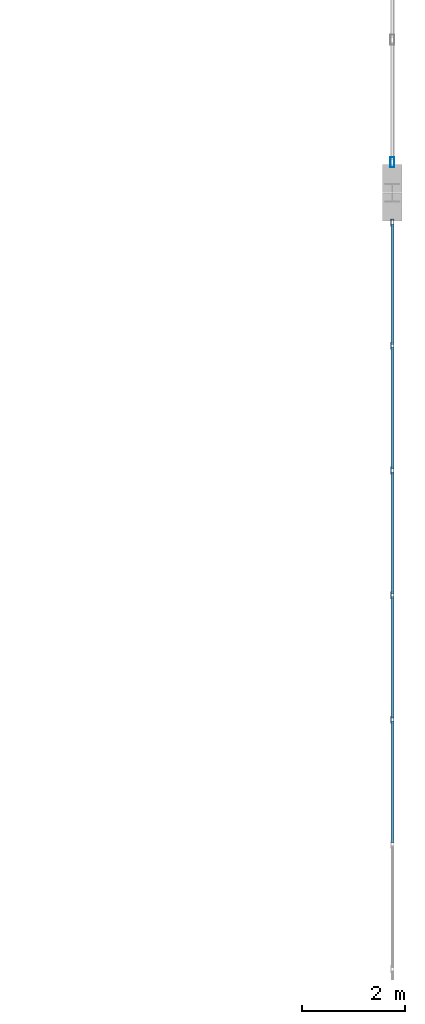
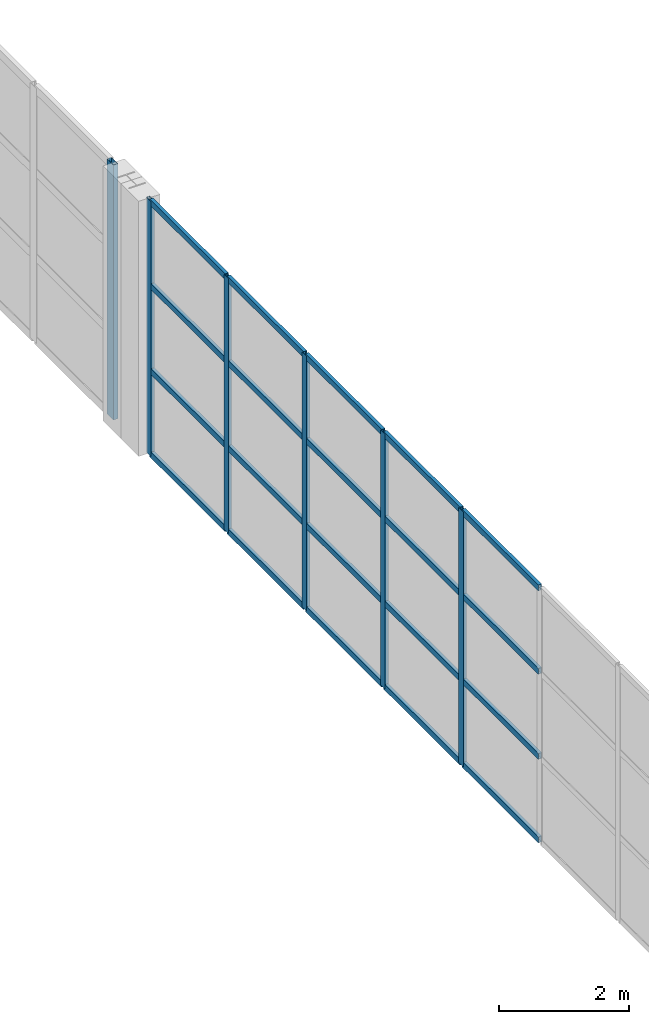
# One storey, part 85 of 147: 26 members, 2 elements without a shape of their own.
"""IFC4 building model written with IfcOpenShell, lengths in metres."""

import ifcopenshell
import ifcopenshell.guid

model = None  # the IFC model being written
_history = None  # IfcOwnerHistory: only IFC2X3 demands one
_inside = {}  # id of a spatial element -> (the spatial element, [elements in it])
_under = {}  # id of a project, library or spatial element -> (it, [spatial elements below it])
_declared = {}  # id of a project -> (the project, [libraries it declares])
_typed = {}  # id of a type object -> (the type object, [elements of that type])
_made_of = {}  # id of a material, layer set ... -> (it, [elements and type objects made of it])


def new_model(schema):
    """Start an empty IFC model of exactly this schema.

    Asked for "IFC4X3", IfcOpenShell would pick the latest addendum, in which some entities
    have other attributes; the version numbers below select the first issue.
    IFC2X3 requires an IfcOwnerHistory on every rooted entity: one is made here for all.
    """
    global model, _history
    if schema == "IFC4X3":
        model = ifcopenshell.file(schema_version=(4, 3, 0, 0))
    else:
        model = ifcopenshell.file(schema=schema)
    _inside.clear()
    _under.clear()
    _declared.clear()
    _typed.clear()
    _made_of.clear()
    _history = None
    if model.schema == "IFC2X3":
        org = make("IfcOrganization", Name="unknown")
        user = make(
            "IfcPersonAndOrganization",
            ThePerson=make("IfcPerson", FamilyName="unknown"),
            TheOrganization=org,
        )
        app = make(
            "IfcApplication",
            ApplicationDeveloper=org,
            Version="unknown",
            ApplicationFullName="unknown",
            ApplicationIdentifier="unknown",
        )
        _history = make(
            "IfcOwnerHistory",
            OwningUser=user,
            OwningApplication=app,
            ChangeAction="ADDED",
            CreationDate=0,
        )
    return model


def make(cls, **values):
    """One entity of the class cls with the attributes given. An attribute that is None is left unset."""
    return model.create_entity(
        cls, **{name: value for name, value in values.items() if value is not None}
    )


def rooted(cls, **values):
    """An entity with a GlobalId (a new one), such as an element, a storey or a relation."""
    return make(cls, GlobalId=ifcopenshell.guid.new(), OwnerHistory=_history, **values)


def si_unit(unit_type, name, prefix=None):
    """IfcSIUnit, for example si_unit("LENGTHUNIT", "METRE", prefix="MILLI")."""
    return make("IfcSIUnit", UnitType=unit_type, Prefix=prefix, Name=name)


def assignment(units):
    """IfcUnitAssignment: the units of a project."""
    return None if units is None else make("IfcUnitAssignment", Units=units)


def point(xyz):
    """IfcCartesianPoint."""
    return None if xyz is None else make("IfcCartesianPoint", Coordinates=xyz)


def direction(xyz):
    """IfcDirection."""
    return None if xyz is None else make("IfcDirection", DirectionRatios=xyz)


def frame(location, z_axis=None, x_axis=None):
    """IfcAxis2Placement3D, a coordinate frame: its origin and axes. An axis left out is left unset."""
    return make(
        "IfcAxis2Placement3D",
        Location=point(location),
        Axis=direction(z_axis),
        RefDirection=direction(x_axis),
    )


def frame_2d(location, x_axis=None):
    """IfcAxis2Placement2D, a coordinate frame in the plane: its origin and x axis."""
    return make(
        "IfcAxis2Placement2D", Location=point(location), RefDirection=direction(x_axis)
    )


def origin():
    """The frame at (0, 0, 0) with its axes left unset."""
    return frame((0.0, 0.0, 0.0))


def origin_2d():
    """The frame at (0, 0) in the plane with its x axis left unset."""
    return frame_2d((0.0, 0.0))


def place(relative_to, where):
    """IfcLocalPlacement: puts the frame where relative to a parent placement (None: the world)."""
    return make(
        "IfcLocalPlacement", PlacementRelTo=relative_to, RelativePlacement=where
    )


def context(
    kind, dimensions, precision=None, world=None, true_north=None, identifier=None
):
    """IfcGeometricRepresentationContext, for example the 3D "Model" context."""
    return make(
        "IfcGeometricRepresentationContext",
        ContextIdentifier=identifier,
        ContextType=kind,
        CoordinateSpaceDimension=dimensions,
        Precision=precision,
        WorldCoordinateSystem=world,
        TrueNorth=true_north,
    )


def subcontext(parent, identifier, kind, view, scale=None):
    """IfcGeometricRepresentationSubContext, for example "Body" below "Model"."""
    return make(
        "IfcGeometricRepresentationSubContext",
        ContextIdentifier=identifier,
        ContextType=kind,
        ParentContext=parent,
        TargetScale=scale,
        TargetView=view,
    )


def project(units=None, contexts=None):
    """IfcProject with its units and contexts."""
    return rooted(
        "IfcProject",
        Name="project",
        RepresentationContexts=contexts,
        UnitsInContext=assignment(units),
    )


def spatial(cls, under=None, at=None, **own):
    """A site, building, storey or space (cls), placed at a placement, below another one or the project."""
    s = rooted(cls, ObjectPlacement=at, **own)
    if under is not None:
        _under.setdefault(under.id(), (under, []))[1].append(s)
    return s


def profile(cls, at=None, kind="AREA", **sizes):
    """A parametric profile (cls). Its sizes go by their IFC names, for example OverallWidth=200.0."""
    return make(cls, ProfileType=kind, Position=at, **sizes)


def hollow_rectangle(**sizes):
    """IfcRectangleHollowProfileDef."""
    return profile("IfcRectangleHollowProfileDef", **sizes)


def extrude(swept, where, along, depth):
    """IfcExtrudedAreaSolid: the profile swept, set in the frame where, extruded along a direction by depth."""
    return make(
        "IfcExtrudedAreaSolid",
        SweptArea=swept,
        Position=where,
        ExtrudedDirection=direction(along),
        Depth=depth,
    )


def shape(context_of_items, identifier, shape_type, items):
    """IfcShapeRepresentation: the items that make up one representation, for example the "Body"."""
    return make(
        "IfcShapeRepresentation",
        ContextOfItems=context_of_items,
        RepresentationIdentifier=identifier,
        RepresentationType=shape_type,
        Items=items,
    )


def material(Name=None, Category=None):
    """IfcMaterial."""
    return make("IfcMaterial", Name=Name, Category=Category)


def layer(
    of_material, thickness, ventilated=None, Name=None, Category=None, Priority=None
):
    """IfcMaterialLayer: one layer of a wall or slab, of a material (None: an air gap)."""
    return make(
        "IfcMaterialLayer",
        Material=of_material,
        LayerThickness=thickness,
        IsVentilated=ventilated,
        Name=Name,
        Category=Category,
        Priority=Priority,
    )


def layer_set(layers, Name=None):
    """IfcMaterialLayerSet."""
    return make("IfcMaterialLayerSet", MaterialLayers=layers, LayerSetName=Name)


def material_profile(
    of_material, cross_section, Name=None, Category=None, Priority=None
):
    """IfcMaterialProfile: a cross section and its material."""
    return make(
        "IfcMaterialProfile",
        Name=Name,
        Material=of_material,
        Profile=cross_section,
        Priority=Priority,
        Category=Category,
    )


def profile_set(profiles, Name=None, composite=None):
    """IfcMaterialProfileSet."""
    return make(
        "IfcMaterialProfileSet",
        Name=Name,
        MaterialProfiles=profiles,
        CompositeProfile=composite,
    )


def made_of(thing, what):
    """Note that an element or type object is made of a material, layer set ...; save() writes the relation."""
    if what is not None:
        _made_of.setdefault(what.id(), (what, []))[1].append(thing)
    return thing


def type_object(cls, material=None, **own):
    """A type object (cls), such as IfcWallType, which elements share."""
    return made_of(rooted(cls, **own), material)


def element(
    cls,
    number,
    at=None,
    inside=None,
    cuts=None,
    type_object=None,
    material=None,
    context=None,
    identifier="Body",
    shape_type=None,
    held_by="IfcProductDefinitionShape",
    body=None,
    shapes=None,
    **own,
):
    """One element of the class cls, such as IfcWall. Its Tag is "e" and its number.

    at: its placement. inside: the storey or other place that contains it. cuts: it is an
    opening in that element (IfcRelVoidsElement). A single representation is given by context,
    identifier, shape_type and body (its items); several are given by shapes. held_by: the class
    of the entity that holds the representations. save() writes the other relations.
    """
    e = rooted(cls, Tag="e%d" % number, ObjectPlacement=at, **own)
    if body is not None:
        shapes = [shape(context, identifier, shape_type, body)]
    if shapes is not None:
        e.Representation = make(held_by, Representations=shapes)
    if inside is not None:
        _inside.setdefault(inside.id(), (inside, []))[1].append(e)
    if cuts is not None:
        rooted(
            "IfcRelVoidsElement", RelatingBuildingElement=cuts, RelatedOpeningElement=e
        )
    if type_object is not None:
        _typed.setdefault(type_object.id(), (type_object, []))[1].append(e)
    return made_of(e, material)


def aggregate(whole, parts):
    """IfcRelAggregates: a whole, such as a stair, and the parts it consists of."""
    return rooted("IfcRelAggregates", RelatingObject=whole, RelatedObjects=parts)


def save(model, path):
    """Write the relations noted so far, then the file.

    IfcRelAggregates (storeys below a building ...), IfcRelContainedInSpatialStructure (elements
    in a storey), IfcRelDefinesByType, IfcRelAssociatesMaterial and IfcRelDeclares: one each for
    every whole, place, type object, material and project.
    """
    for whole, parts in _under.values():
        aggregate(whole, parts)
    for where, things in _inside.values():
        rooted(
            "IfcRelContainedInSpatialStructure",
            RelatedElements=things,
            RelatingStructure=where,
        )
    for kind, things in _typed.values():
        rooted("IfcRelDefinesByType", RelatedObjects=things, RelatingType=kind)
    for what, things in _made_of.values():
        rooted("IfcRelAssociatesMaterial", RelatedObjects=things, RelatingMaterial=what)
    for by, libraries in _declared.values():
        rooted("IfcRelDeclares", RelatingContext=by, RelatedDefinitions=libraries)
    model.write(path)


model = new_model("IFC4")

# Units and contexts
model_context = context("Model", 3, precision=1e-05, world=origin(), true_north=direction((0.0, 1.0)))
body_context = subcontext(model_context, "Body", "Model", "MODEL_VIEW")
ifc_project = project(units=[si_unit("LENGTHUNIT", "METRE"), si_unit("AREAUNIT", "SQUARE_METRE"), si_unit("VOLUMEUNIT", "CUBIC_METRE"), si_unit("PLANEANGLEUNIT", "RADIAN"), si_unit("MASSUNIT", "GRAM", prefix="KILO")], contexts=[model_context])

# Site, building, storey
site_placement = place(None, origin())
site = spatial("IfcSite", under=ifc_project, at=site_placement, CompositionType="ELEMENT")
building_placement = place(site_placement, origin())
building = spatial("IfcBuilding", under=site, at=building_placement, Name="Zilviju Railside Exhibition Hall", CompositionType="ELEMENT")
storey_placement = place(building_placement, frame((0.0, 0.0, 8.39990234375)))
storey = spatial("IfcBuildingStorey", under=building, at=storey_placement, Name="L03", CompositionType="ELEMENT", Elevation=8.39990234375)

# Curtain wall, members
ifc_material_1 = material(Name="Thermally broken aluminium-steel triple-glazed curtain wall", Category="steel")
ifc_layer_1 = layer(ifc_material_1, 0.179931640625)
ifc_layer_set_1 = layer_set([ifc_layer_1], Name="Thermally broken aluminium-steel triple-glazed curtain wall")
curtain_wall_type_1 = type_object("IfcCurtainWallType", Name="CW-BAY-17", PredefinedType="USERDEFINED", material=ifc_layer_set_1)
curtain_wall_1_placement = place(storey_placement, origin())
curtain_wall_1 = element("IfcCurtainWall", 1, at=curtain_wall_1_placement, inside=storey, type_object=curtain_wall_type_1, Name="South Hall East Glazed Gable L03 (18..36)", ObjectType="GLAZED CURTAIN WALL", PredefinedType="USERDEFINED")
ifc_material_2 = material(Name="Thermally broken anodized aluminium mullion", Category="aluminium")
ifc_material_profile_1 = material_profile(ifc_material_2, hollow_rectangle(XDim=0.06005859375, YDim=0.139892578125, WallThickness=0.0048828125, at=origin_2d()), Name="MULLION 140x60x5")
ifc_profile_set_1 = profile_set([ifc_material_profile_1], Name="Thermally broken anodized aluminium mullion")
member_type_1 = type_object("IfcMemberType", Name="CWM-60x140", PredefinedType="MULLION", material=ifc_profile_set_1)
member_1_placement = place(storey_placement, frame((216.0, 35.419921875, 0.0), z_axis=(0.0, 0.0, 1.0), x_axis=(1.0, 0.0, 0.0)))
member_1 = element("IfcMember", 2, at=member_1_placement, type_object=member_type_1, Name="CW-17 mullion 1", PredefinedType="MULLION", context=body_context, shape_type="SweptSolid", body=[
    extrude(hollow_rectangle(XDim=0.06005859375, YDim=0.139892578125, WallThickness=0.0048828125, at=origin_2d()), origin(), (0.0, 0.0, 1.0), 4.800048828125),
])
member_2_placement = place(storey_placement, frame((216.0, 33.03564453125, 0.0), z_axis=(0.0, 0.0, 1.0), x_axis=(1.0, 0.0, 0.0)))
member_2 = element("IfcMember", 3, at=member_2_placement, type_object=member_type_1, Name="CW-17 mullion 2", PredefinedType="MULLION", context=body_context, shape_type="SweptSolid", body=[
    extrude(hollow_rectangle(XDim=0.06005859375, YDim=0.139892578125, WallThickness=0.0048828125, at=origin_2d()), origin(), (0.0, 0.0, 1.0), 4.800048828125),
])
member_3_placement = place(storey_placement, frame((216.0, 30.621337890625, 0.0), z_axis=(0.0, 0.0, 1.0), x_axis=(1.0, 0.0, 0.0)))
member_3 = element("IfcMember", 4, at=member_3_placement, type_object=member_type_1, Name="CW-17 mullion 3", PredefinedType="MULLION", context=body_context, shape_type="SweptSolid", body=[
    extrude(hollow_rectangle(XDim=0.06005859375, YDim=0.139892578125, WallThickness=0.0048828125, at=origin_2d()), origin(), (0.0, 0.0, 1.0), 4.800048828125),
])
member_4_placement = place(storey_placement, frame((216.0, 28.20703125, 0.0), z_axis=(0.0, 0.0, 1.0), x_axis=(1.0, 0.0, 0.0)))
member_4 = element("IfcMember", 5, at=member_4_placement, type_object=member_type_1, Name="CW-17 mullion 4", PredefinedType="MULLION", context=body_context, shape_type="SweptSolid", body=[
    extrude(hollow_rectangle(XDim=0.06005859375, YDim=0.139892578125, WallThickness=0.0048828125, at=origin_2d()), origin(), (0.0, 0.0, 1.0), 4.800048828125),
])
member_5_placement = place(storey_placement, frame((216.0, 25.79296875, 0.0), z_axis=(0.0, 0.0, 1.0), x_axis=(1.0, 0.0, 0.0)))
member_5 = element("IfcMember", 6, at=member_5_placement, type_object=member_type_1, Name="CW-17 mullion 5", PredefinedType="MULLION", context=body_context, shape_type="SweptSolid", body=[
    extrude(hollow_rectangle(XDim=0.06005859375, YDim=0.139892578125, WallThickness=0.0048828125, at=origin_2d()), origin(), (0.0, 0.0, 1.0), 4.800048828125),
])

# Curtain wall, member
ifc_layer_2 = layer(ifc_material_1, 0.179931640625)
ifc_layer_set_2 = layer_set([ifc_layer_2], Name="Thermally broken aluminium-steel triple-glazed curtain wall")
curtain_wall_type_2 = type_object("IfcCurtainWallType", Name="CW-BAY-18", PredefinedType="USERDEFINED", material=ifc_layer_set_2)
curtain_wall_2_placement = place(storey_placement, origin())
curtain_wall_2 = element("IfcCurtainWall", 7, at=curtain_wall_2_placement, inside=storey, type_object=curtain_wall_type_2, Name="South Hall East Glazed Gable L03 (36..54)", ObjectType="GLAZED CURTAIN WALL", PredefinedType="USERDEFINED")
ifc_material_profile_2 = material_profile(ifc_material_2, hollow_rectangle(XDim=0.080078125, YDim=0.199951171875, WallThickness=0.0048828125, at=origin_2d()), Name="MULLION 200x80x5")
ifc_profile_set_2 = profile_set([ifc_material_profile_2], Name="Thermally broken anodized aluminium mullion")
member_type_2 = type_object("IfcMemberType", Name="CWM-80x200", PredefinedType="MULLION", material=ifc_profile_set_2)
member_6_placement = place(storey_placement, frame((216.0, 36.590087890625, 0.0), z_axis=(0.0, 0.0, 1.0), x_axis=(1.0, 0.0, 0.0)))
member_6 = element("IfcMember", 8, at=member_6_placement, type_object=member_type_2, Name="CW-18 mullion 8", PredefinedType="MULLION", context=body_context, shape_type="SweptSolid", body=[
    extrude(hollow_rectangle(XDim=0.080078125, YDim=0.199951171875, WallThickness=0.0048828125, at=origin_2d()), origin(), (0.0, 0.0, 1.0), 4.800048828125),
])
aggregate(curtain_wall_2, [member_6])

# Member
ifc_material_3 = material(Name="Thermally broken anodized aluminium transom", Category="aluminium")
ifc_material_profile_3 = material_profile(ifc_material_3, hollow_rectangle(XDim=0.06005859375, YDim=0.110107421875, WallThickness=0.0048828125, at=origin_2d()), Name="TRANSOM 110x60x5")
ifc_profile_set_3 = profile_set([ifc_material_profile_3], Name="Thermally broken anodized aluminium transom")
member_type_3 = type_object("IfcMemberType", Name="CWT-60x110", PredefinedType="USERDEFINED", material=ifc_profile_set_3)
member_7_placement = place(storey_placement, frame((216.0, 35.389892578125, 0.030029296875), z_axis=(0.0, -1.0, 0.0), x_axis=(1.0, 0.0, 0.0)))
member_7 = element("IfcMember", 9, at=member_7_placement, type_object=member_type_3, Name="CW-17 transom 1.1", ObjectType="TRANSOM", PredefinedType="USERDEFINED", context=body_context, shape_type="SweptSolid", body=[
    extrude(hollow_rectangle(XDim=0.06005859375, YDim=0.110107421875, WallThickness=0.0048828125, at=origin_2d()), origin(), (0.0, 0.0, 1.0), 2.32421875),
])

member_8_placement = place(storey_placement, frame((216.0, 35.389892578125, 1.60009765625), z_axis=(0.0, -1.0, 0.0), x_axis=(1.0, 0.0, 0.0)))
member_8 = element("IfcMember", 10, at=member_8_placement, type_object=member_type_3, Name="CW-17 transom 1.2", ObjectType="TRANSOM", PredefinedType="USERDEFINED", context=body_context, shape_type="SweptSolid", body=[
    extrude(hollow_rectangle(XDim=0.06005859375, YDim=0.110107421875, WallThickness=0.0048828125, at=origin_2d()), origin(), (0.0, 0.0, 1.0), 2.32421875),
])

member_9_placement = place(storey_placement, frame((216.0, 35.389892578125, 3.2001953125), z_axis=(0.0, -1.0, 0.0), x_axis=(1.0, 0.0, 0.0)))
member_9 = element("IfcMember", 11, at=member_9_placement, type_object=member_type_3, Name="CW-17 transom 1.3", ObjectType="TRANSOM", PredefinedType="USERDEFINED", context=body_context, shape_type="SweptSolid", body=[
    extrude(hollow_rectangle(XDim=0.06005859375, YDim=0.110107421875, WallThickness=0.0048828125, at=origin_2d()), origin(), (0.0, 0.0, 1.0), 2.32421875),
])

member_10_placement = place(storey_placement, frame((216.0, 35.389892578125, 4.77001953125), z_axis=(0.0, -1.0, 0.0), x_axis=(1.0, 0.0, 0.0)))
member_10 = element("IfcMember", 12, at=member_10_placement, type_object=member_type_3, Name="CW-17 transom 1.4", ObjectType="TRANSOM", PredefinedType="USERDEFINED", context=body_context, shape_type="SweptSolid", body=[
    extrude(hollow_rectangle(XDim=0.06005859375, YDim=0.110107421875, WallThickness=0.0048828125, at=origin_2d()), origin(), (0.0, 0.0, 1.0), 2.32421875),
])

member_11_placement = place(storey_placement, frame((216.0, 33.005615234375, 0.030029296875), z_axis=(0.0, -1.0, 0.0), x_axis=(1.0, 0.0, 0.0)))
member_11 = element("IfcMember", 13, at=member_11_placement, type_object=member_type_3, Name="CW-17 transom 2.1", ObjectType="TRANSOM", PredefinedType="USERDEFINED", context=body_context, shape_type="SweptSolid", body=[
    extrude(hollow_rectangle(XDim=0.06005859375, YDim=0.110107421875, WallThickness=0.0048828125, at=origin_2d()), origin(), (0.0, 0.0, 1.0), 2.354248046875),
])

member_12_placement = place(storey_placement, frame((216.0, 33.005615234375, 1.60009765625), z_axis=(0.0, -1.0, 0.0), x_axis=(1.0, 0.0, 0.0)))
member_12 = element("IfcMember", 14, at=member_12_placement, type_object=member_type_3, Name="CW-17 transom 2.2", ObjectType="TRANSOM", PredefinedType="USERDEFINED", context=body_context, shape_type="SweptSolid", body=[
    extrude(hollow_rectangle(XDim=0.06005859375, YDim=0.110107421875, WallThickness=0.0048828125, at=origin_2d()), origin(), (0.0, 0.0, 1.0), 2.354248046875),
])

member_13_placement = place(storey_placement, frame((216.0, 33.005615234375, 3.2001953125), z_axis=(0.0, -1.0, 0.0), x_axis=(1.0, 0.0, 0.0)))
member_13 = element("IfcMember", 15, at=member_13_placement, type_object=member_type_3, Name="CW-17 transom 2.3", ObjectType="TRANSOM", PredefinedType="USERDEFINED", context=body_context, shape_type="SweptSolid", body=[
    extrude(hollow_rectangle(XDim=0.06005859375, YDim=0.110107421875, WallThickness=0.0048828125, at=origin_2d()), origin(), (0.0, 0.0, 1.0), 2.354248046875),
])

member_14_placement = place(storey_placement, frame((216.0, 33.005615234375, 4.77001953125), z_axis=(0.0, -1.0, 0.0), x_axis=(1.0, 0.0, 0.0)))
member_14 = element("IfcMember", 16, at=member_14_placement, type_object=member_type_3, Name="CW-17 transom 2.4", ObjectType="TRANSOM", PredefinedType="USERDEFINED", context=body_context, shape_type="SweptSolid", body=[
    extrude(hollow_rectangle(XDim=0.06005859375, YDim=0.110107421875, WallThickness=0.0048828125, at=origin_2d()), origin(), (0.0, 0.0, 1.0), 2.354248046875),
])

member_15_placement = place(storey_placement, frame((216.0, 30.59130859375, 0.030029296875), z_axis=(0.0, -1.0, 0.0), x_axis=(1.0, 0.0, 0.0)))
member_15 = element("IfcMember", 17, at=member_15_placement, type_object=member_type_3, Name="CW-17 transom 3.1", ObjectType="TRANSOM", PredefinedType="USERDEFINED", context=body_context, shape_type="SweptSolid", body=[
    extrude(hollow_rectangle(XDim=0.06005859375, YDim=0.110107421875, WallThickness=0.0048828125, at=origin_2d()), origin(), (0.0, 0.0, 1.0), 2.354248046875),
])

member_16_placement = place(storey_placement, frame((216.0, 30.59130859375, 1.60009765625), z_axis=(0.0, -1.0, 0.0), x_axis=(1.0, 0.0, 0.0)))
member_16 = element("IfcMember", 18, at=member_16_placement, type_object=member_type_3, Name="CW-17 transom 3.2", ObjectType="TRANSOM", PredefinedType="USERDEFINED", context=body_context, shape_type="SweptSolid", body=[
    extrude(hollow_rectangle(XDim=0.06005859375, YDim=0.110107421875, WallThickness=0.0048828125, at=origin_2d()), origin(), (0.0, 0.0, 1.0), 2.354248046875),
])

member_17_placement = place(storey_placement, frame((216.0, 30.59130859375, 3.2001953125), z_axis=(0.0, -1.0, 0.0), x_axis=(1.0, 0.0, 0.0)))
member_17 = element("IfcMember", 19, at=member_17_placement, type_object=member_type_3, Name="CW-17 transom 3.3", ObjectType="TRANSOM", PredefinedType="USERDEFINED", context=body_context, shape_type="SweptSolid", body=[
    extrude(hollow_rectangle(XDim=0.06005859375, YDim=0.110107421875, WallThickness=0.0048828125, at=origin_2d()), origin(), (0.0, 0.0, 1.0), 2.354248046875),
])

member_18_placement = place(storey_placement, frame((216.0, 30.59130859375, 4.77001953125), z_axis=(0.0, -1.0, 0.0), x_axis=(1.0, 0.0, 0.0)))
member_18 = element("IfcMember", 20, at=member_18_placement, type_object=member_type_3, Name="CW-17 transom 3.4", ObjectType="TRANSOM", PredefinedType="USERDEFINED", context=body_context, shape_type="SweptSolid", body=[
    extrude(hollow_rectangle(XDim=0.06005859375, YDim=0.110107421875, WallThickness=0.0048828125, at=origin_2d()), origin(), (0.0, 0.0, 1.0), 2.354248046875),
])

member_19_placement = place(storey_placement, frame((216.0, 28.17724609375, 0.030029296875), z_axis=(0.0, -1.0, 0.0), x_axis=(1.0, 0.0, 0.0)))
member_19 = element("IfcMember", 21, at=member_19_placement, type_object=member_type_3, Name="CW-17 transom 4.1", ObjectType="TRANSOM", PredefinedType="USERDEFINED", context=body_context, shape_type="SweptSolid", body=[
    extrude(hollow_rectangle(XDim=0.06005859375, YDim=0.110107421875, WallThickness=0.0048828125, at=origin_2d()), origin(), (0.0, 0.0, 1.0), 2.3544921875),
])

member_20_placement = place(storey_placement, frame((216.0, 28.17724609375, 1.60009765625), z_axis=(0.0, -1.0, 0.0), x_axis=(1.0, 0.0, 0.0)))
member_20 = element("IfcMember", 22, at=member_20_placement, type_object=member_type_3, Name="CW-17 transom 4.2", ObjectType="TRANSOM", PredefinedType="USERDEFINED", context=body_context, shape_type="SweptSolid", body=[
    extrude(hollow_rectangle(XDim=0.06005859375, YDim=0.110107421875, WallThickness=0.0048828125, at=origin_2d()), origin(), (0.0, 0.0, 1.0), 2.3544921875),
])

member_21_placement = place(storey_placement, frame((216.0, 28.17724609375, 3.2001953125), z_axis=(0.0, -1.0, 0.0), x_axis=(1.0, 0.0, 0.0)))
member_21 = element("IfcMember", 23, at=member_21_placement, type_object=member_type_3, Name="CW-17 transom 4.3", ObjectType="TRANSOM", PredefinedType="USERDEFINED", context=body_context, shape_type="SweptSolid", body=[
    extrude(hollow_rectangle(XDim=0.06005859375, YDim=0.110107421875, WallThickness=0.0048828125, at=origin_2d()), origin(), (0.0, 0.0, 1.0), 2.3544921875),
])

member_22_placement = place(storey_placement, frame((216.0, 28.17724609375, 4.77001953125), z_axis=(0.0, -1.0, 0.0), x_axis=(1.0, 0.0, 0.0)))
member_22 = element("IfcMember", 24, at=member_22_placement, type_object=member_type_3, Name="CW-17 transom 4.4", ObjectType="TRANSOM", PredefinedType="USERDEFINED", context=body_context, shape_type="SweptSolid", body=[
    extrude(hollow_rectangle(XDim=0.06005859375, YDim=0.110107421875, WallThickness=0.0048828125, at=origin_2d()), origin(), (0.0, 0.0, 1.0), 2.3544921875),
])

member_23_placement = place(storey_placement, frame((216.0, 25.762939453125, 0.030029296875), z_axis=(0.0, -1.0, 0.0), x_axis=(1.0, 0.0, 0.0)))
member_23 = element("IfcMember", 25, at=member_23_placement, type_object=member_type_3, Name="CW-17 transom 5.1", ObjectType="TRANSOM", PredefinedType="USERDEFINED", context=body_context, shape_type="SweptSolid", body=[
    extrude(hollow_rectangle(XDim=0.06005859375, YDim=0.110107421875, WallThickness=0.0048828125, at=origin_2d()), origin(), (0.0, 0.0, 1.0), 2.354248046875),
])

member_24_placement = place(storey_placement, frame((216.0, 25.762939453125, 1.60009765625), z_axis=(0.0, -1.0, 0.0), x_axis=(1.0, 0.0, 0.0)))
member_24 = element("IfcMember", 26, at=member_24_placement, type_object=member_type_3, Name="CW-17 transom 5.2", ObjectType="TRANSOM", PredefinedType="USERDEFINED", context=body_context, shape_type="SweptSolid", body=[
    extrude(hollow_rectangle(XDim=0.06005859375, YDim=0.110107421875, WallThickness=0.0048828125, at=origin_2d()), origin(), (0.0, 0.0, 1.0), 2.354248046875),
])

member_25_placement = place(storey_placement, frame((216.0, 25.762939453125, 3.2001953125), z_axis=(0.0, -1.0, 0.0), x_axis=(1.0, 0.0, 0.0)))
member_25 = element("IfcMember", 27, at=member_25_placement, type_object=member_type_3, Name="CW-17 transom 5.3", ObjectType="TRANSOM", PredefinedType="USERDEFINED", context=body_context, shape_type="SweptSolid", body=[
    extrude(hollow_rectangle(XDim=0.06005859375, YDim=0.110107421875, WallThickness=0.0048828125, at=origin_2d()), origin(), (0.0, 0.0, 1.0), 2.354248046875),
])

member_26_placement = place(storey_placement, frame((216.0, 25.762939453125, 4.77001953125), z_axis=(0.0, -1.0, 0.0), x_axis=(1.0, 0.0, 0.0)))
member_26 = element("IfcMember", 28, at=member_26_placement, type_object=member_type_3, Name="CW-17 transom 5.4", ObjectType="TRANSOM", PredefinedType="USERDEFINED", context=body_context, shape_type="SweptSolid", body=[
    extrude(hollow_rectangle(XDim=0.06005859375, YDim=0.110107421875, WallThickness=0.0048828125, at=origin_2d()), origin(), (0.0, 0.0, 1.0), 2.354248046875),
])

aggregate(curtain_wall_1, [member_1, member_2, member_3, member_4, member_5, member_7, member_8, member_9, member_10, member_11, member_12, member_13, member_14, member_15, member_16, member_17, member_18, member_19, member_20, member_21, member_22, member_23, member_24, member_25, member_26])

save(model, "model.ifc")
